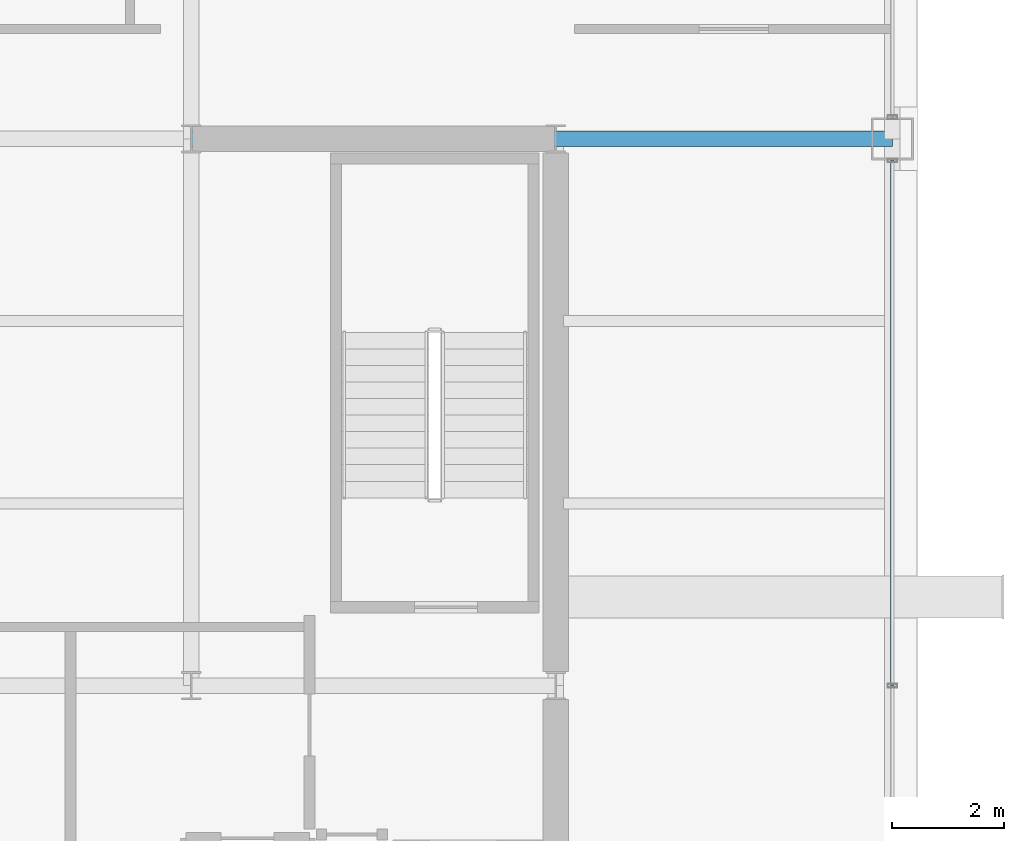
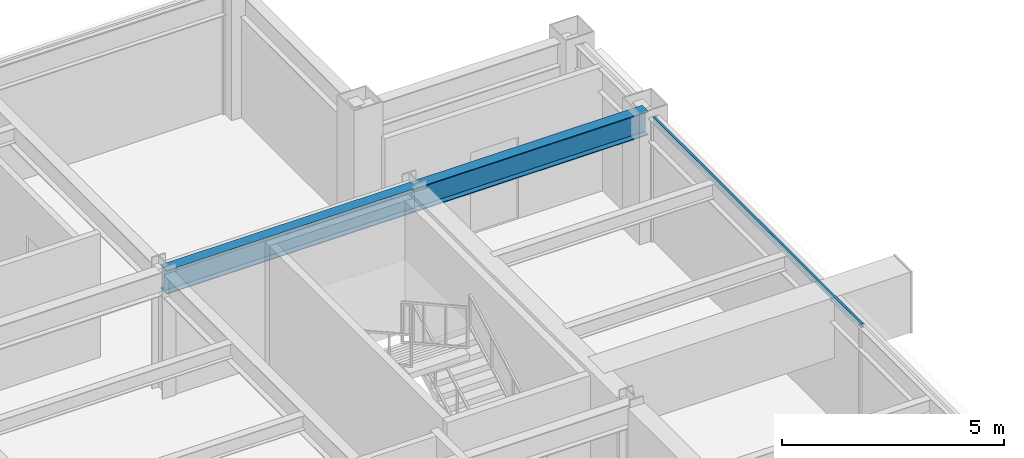
# One storey, part 16 of 26: 2 beams, 1 member, 1 element without a shape of its own.
"""IFC4 building model written with IfcOpenShell, lengths in metres."""

import ifcopenshell
import ifcopenshell.guid

model = None  # the IFC model being written
_history = None  # IfcOwnerHistory: only IFC2X3 demands one
_inside = {}  # id of a spatial element -> (the spatial element, [elements in it])
_under = {}  # id of a project, library or spatial element -> (it, [spatial elements below it])
_declared = {}  # id of a project -> (the project, [libraries it declares])
_typed = {}  # id of a type object -> (the type object, [elements of that type])
_made_of = {}  # id of a material, layer set ... -> (it, [elements and type objects made of it])


def new_model(schema):
    """Start an empty IFC model of exactly this schema.

    Asked for "IFC4X3", IfcOpenShell would pick the latest addendum, in which some entities
    have other attributes; the version numbers below select the first issue.
    IFC2X3 requires an IfcOwnerHistory on every rooted entity: one is made here for all.
    """
    global model, _history
    if schema == "IFC4X3":
        model = ifcopenshell.file(schema_version=(4, 3, 0, 0))
    else:
        model = ifcopenshell.file(schema=schema)
    _inside.clear()
    _under.clear()
    _declared.clear()
    _typed.clear()
    _made_of.clear()
    _history = None
    if model.schema == "IFC2X3":
        org = make("IfcOrganization", Name="unknown")
        user = make(
            "IfcPersonAndOrganization",
            ThePerson=make("IfcPerson", FamilyName="unknown"),
            TheOrganization=org,
        )
        app = make(
            "IfcApplication",
            ApplicationDeveloper=org,
            Version="unknown",
            ApplicationFullName="unknown",
            ApplicationIdentifier="unknown",
        )
        _history = make(
            "IfcOwnerHistory",
            OwningUser=user,
            OwningApplication=app,
            ChangeAction="ADDED",
            CreationDate=0,
        )
    return model


def make(cls, **values):
    """One entity of the class cls with the attributes given. An attribute that is None is left unset."""
    return model.create_entity(
        cls, **{name: value for name, value in values.items() if value is not None}
    )


def rooted(cls, **values):
    """An entity with a GlobalId (a new one), such as an element, a storey or a relation."""
    return make(cls, GlobalId=ifcopenshell.guid.new(), OwnerHistory=_history, **values)


def si_unit(unit_type, name, prefix=None):
    """IfcSIUnit, for example si_unit("LENGTHUNIT", "METRE", prefix="MILLI")."""
    return make("IfcSIUnit", UnitType=unit_type, Prefix=prefix, Name=name)


def assignment(units):
    """IfcUnitAssignment: the units of a project."""
    return None if units is None else make("IfcUnitAssignment", Units=units)


def point(xyz):
    """IfcCartesianPoint."""
    return None if xyz is None else make("IfcCartesianPoint", Coordinates=xyz)


def direction(xyz):
    """IfcDirection."""
    return None if xyz is None else make("IfcDirection", DirectionRatios=xyz)


def frame(location, z_axis=None, x_axis=None):
    """IfcAxis2Placement3D, a coordinate frame: its origin and axes. An axis left out is left unset."""
    return make(
        "IfcAxis2Placement3D",
        Location=point(location),
        Axis=direction(z_axis),
        RefDirection=direction(x_axis),
    )


def frame_2d(location, x_axis=None):
    """IfcAxis2Placement2D, a coordinate frame in the plane: its origin and x axis."""
    return make(
        "IfcAxis2Placement2D", Location=point(location), RefDirection=direction(x_axis)
    )


def origin():
    """The frame at (0, 0, 0) with its axes left unset."""
    return frame((0.0, 0.0, 0.0))


def origin_2d():
    """The frame at (0, 0) in the plane with its x axis left unset."""
    return frame_2d((0.0, 0.0))


def place(relative_to, where):
    """IfcLocalPlacement: puts the frame where relative to a parent placement (None: the world)."""
    return make(
        "IfcLocalPlacement", PlacementRelTo=relative_to, RelativePlacement=where
    )


def context(
    kind, dimensions, precision=None, world=None, true_north=None, identifier=None
):
    """IfcGeometricRepresentationContext, for example the 3D "Model" context."""
    return make(
        "IfcGeometricRepresentationContext",
        ContextIdentifier=identifier,
        ContextType=kind,
        CoordinateSpaceDimension=dimensions,
        Precision=precision,
        WorldCoordinateSystem=world,
        TrueNorth=true_north,
    )


def subcontext(parent, identifier, kind, view, scale=None):
    """IfcGeometricRepresentationSubContext, for example "Body" below "Model"."""
    return make(
        "IfcGeometricRepresentationSubContext",
        ContextIdentifier=identifier,
        ContextType=kind,
        ParentContext=parent,
        TargetScale=scale,
        TargetView=view,
    )


def project(units=None, contexts=None):
    """IfcProject with its units and contexts."""
    return rooted(
        "IfcProject",
        Name="project",
        RepresentationContexts=contexts,
        UnitsInContext=assignment(units),
    )


def spatial(cls, under=None, at=None, **own):
    """A site, building, storey or space (cls), placed at a placement, below another one or the project."""
    s = rooted(cls, ObjectPlacement=at, **own)
    if under is not None:
        _under.setdefault(under.id(), (under, []))[1].append(s)
    return s


def profile(cls, at=None, kind="AREA", **sizes):
    """A parametric profile (cls). Its sizes go by their IFC names, for example OverallWidth=200.0."""
    return make(cls, ProfileType=kind, Position=at, **sizes)


def hollow_rectangle(**sizes):
    """IfcRectangleHollowProfileDef."""
    return profile("IfcRectangleHollowProfileDef", **sizes)


def i_section(**sizes):
    """IfcIShapeProfileDef."""
    return profile("IfcIShapeProfileDef", **sizes)


def extrude(swept, where, along, depth):
    """IfcExtrudedAreaSolid: the profile swept, set in the frame where, extruded along a direction by depth."""
    return make(
        "IfcExtrudedAreaSolid",
        SweptArea=swept,
        Position=where,
        ExtrudedDirection=direction(along),
        Depth=depth,
    )


def shape(context_of_items, identifier, shape_type, items):
    """IfcShapeRepresentation: the items that make up one representation, for example the "Body"."""
    return make(
        "IfcShapeRepresentation",
        ContextOfItems=context_of_items,
        RepresentationIdentifier=identifier,
        RepresentationType=shape_type,
        Items=items,
    )


def material(Name=None, Category=None):
    """IfcMaterial."""
    return make("IfcMaterial", Name=Name, Category=Category)


def layer(
    of_material, thickness, ventilated=None, Name=None, Category=None, Priority=None
):
    """IfcMaterialLayer: one layer of a wall or slab, of a material (None: an air gap)."""
    return make(
        "IfcMaterialLayer",
        Material=of_material,
        LayerThickness=thickness,
        IsVentilated=ventilated,
        Name=Name,
        Category=Category,
        Priority=Priority,
    )


def layer_set(layers, Name=None):
    """IfcMaterialLayerSet."""
    return make("IfcMaterialLayerSet", MaterialLayers=layers, LayerSetName=Name)


def material_profile(
    of_material, cross_section, Name=None, Category=None, Priority=None
):
    """IfcMaterialProfile: a cross section and its material."""
    return make(
        "IfcMaterialProfile",
        Name=Name,
        Material=of_material,
        Profile=cross_section,
        Priority=Priority,
        Category=Category,
    )


def profile_set(profiles, Name=None, composite=None):
    """IfcMaterialProfileSet."""
    return make(
        "IfcMaterialProfileSet",
        Name=Name,
        MaterialProfiles=profiles,
        CompositeProfile=composite,
    )


def made_of(thing, what):
    """Note that an element or type object is made of a material, layer set ...; save() writes the relation."""
    if what is not None:
        _made_of.setdefault(what.id(), (what, []))[1].append(thing)
    return thing


def type_object(cls, material=None, **own):
    """A type object (cls), such as IfcWallType, which elements share."""
    return made_of(rooted(cls, **own), material)


def element(
    cls,
    number,
    at=None,
    inside=None,
    cuts=None,
    type_object=None,
    material=None,
    context=None,
    identifier="Body",
    shape_type=None,
    held_by="IfcProductDefinitionShape",
    body=None,
    shapes=None,
    **own,
):
    """One element of the class cls, such as IfcWall. Its Tag is "e" and its number.

    at: its placement. inside: the storey or other place that contains it. cuts: it is an
    opening in that element (IfcRelVoidsElement). A single representation is given by context,
    identifier, shape_type and body (its items); several are given by shapes. held_by: the class
    of the entity that holds the representations. save() writes the other relations.
    """
    e = rooted(cls, Tag="e%d" % number, ObjectPlacement=at, **own)
    if body is not None:
        shapes = [shape(context, identifier, shape_type, body)]
    if shapes is not None:
        e.Representation = make(held_by, Representations=shapes)
    if inside is not None:
        _inside.setdefault(inside.id(), (inside, []))[1].append(e)
    if cuts is not None:
        rooted(
            "IfcRelVoidsElement", RelatingBuildingElement=cuts, RelatedOpeningElement=e
        )
    if type_object is not None:
        _typed.setdefault(type_object.id(), (type_object, []))[1].append(e)
    return made_of(e, material)


def aggregate(whole, parts):
    """IfcRelAggregates: a whole, such as a stair, and the parts it consists of."""
    return rooted("IfcRelAggregates", RelatingObject=whole, RelatedObjects=parts)


def save(model, path):
    """Write the relations noted so far, then the file.

    IfcRelAggregates (storeys below a building ...), IfcRelContainedInSpatialStructure (elements
    in a storey), IfcRelDefinesByType, IfcRelAssociatesMaterial and IfcRelDeclares: one each for
    every whole, place, type object, material and project.
    """
    for whole, parts in _under.values():
        aggregate(whole, parts)
    for where, things in _inside.values():
        rooted(
            "IfcRelContainedInSpatialStructure",
            RelatedElements=things,
            RelatingStructure=where,
        )
    for kind, things in _typed.values():
        rooted("IfcRelDefinesByType", RelatedObjects=things, RelatingType=kind)
    for what, things in _made_of.values():
        rooted("IfcRelAssociatesMaterial", RelatedObjects=things, RelatingMaterial=what)
    for by, libraries in _declared.values():
        rooted("IfcRelDeclares", RelatingContext=by, RelatedDefinitions=libraries)
    model.write(path)


model = new_model("IFC4")

# Units and contexts
model_context = context("Model", 3, precision=1e-05, world=origin(), true_north=direction((0.0, 1.0)))
body_context = subcontext(model_context, "Body", "Model", "MODEL_VIEW")
ifc_project = project(units=[si_unit("LENGTHUNIT", "METRE"), si_unit("AREAUNIT", "SQUARE_METRE"), si_unit("VOLUMEUNIT", "CUBIC_METRE"), si_unit("PLANEANGLEUNIT", "RADIAN"), si_unit("MASSUNIT", "GRAM", prefix="KILO")], contexts=[model_context])

# Site, building, storey
site_placement = place(None, origin())
site = spatial("IfcSite", under=ifc_project, at=site_placement, CompositionType="ELEMENT")
building_placement = place(site_placement, origin())
building = spatial("IfcBuilding", under=site, at=building_placement, Name="Brelmoor Portico Tower", CompositionType="ELEMENT")
storey_placement = place(building_placement, frame((0.0, 0.0, 180.300048828125)))
storey = spatial("IfcBuildingStorey", under=building, at=storey_placement, Name="L47", CompositionType="ELEMENT", Elevation=180.300048828125)

# Beams
ifc_material_1 = material(Name="Steel Q355B", Category="steel")
ifc_material_profile_1 = material_profile(ifc_material_1, i_section(OverallWidth=0.280029296875, OverallDepth=0.64990234375, WebThickness=0.012939453125, FlangeThickness=0.02197265625, at=origin_2d()), Name="HN 650x280x13x22")
ifc_profile_set_1 = profile_set([ifc_material_profile_1], Name="Steel Q355B")
beam_type = type_object("IfcBeamType", Name="BM-PG-650", PredefinedType="BEAM", material=ifc_profile_set_1)
beam_1_placement = place(storey_placement, frame((8.050048828125, 9.75, 3.074951171875), z_axis=(1.0, 0.0, 0.0), x_axis=(0.0, 1.0, 0.0)))
element("IfcBeam", 1, at=beam_1_placement, inside=storey, type_object=beam_type, Name="L47 Primary Floor Girder PG-22", PredefinedType="BEAM", context=body_context, shape_type="SweptSolid", body=[
    extrude(i_section(OverallWidth=0.280029296875, OverallDepth=0.64990234375, WebThickness=0.012939453125, FlangeThickness=0.02197265625, at=origin_2d()), origin(), (0.0, 0.0, 1.0), 6.5),
])
beam_2_placement = place(storey_placement, frame((14.550048828125, 9.75, 3.074951171875), z_axis=(1.0, 0.0, 0.0), x_axis=(0.0, 1.0, 0.0)))
element("IfcBeam", 2, at=beam_2_placement, inside=storey, type_object=beam_type, Name="L47 Primary Floor Girder PG-23", PredefinedType="BEAM", context=body_context, shape_type="SweptSolid", body=[
    extrude(i_section(OverallWidth=0.280029296875, OverallDepth=0.64990234375, WebThickness=0.012939453125, FlangeThickness=0.02197265625, at=origin_2d()), origin(), (0.0, 0.0, 1.0), 6.0),
])

# Curtain wall, member
ifc_material_2 = material(Name="Anodised Aluminium Alloy 6063-T6", Category="aluminium")
ifc_layer = layer(ifc_material_2, 0.179931640625)
ifc_layer_set = layer_set([ifc_layer], Name="Anodised Aluminium Alloy 6063-T6")
curtain_wall_type = type_object("IfcCurtainWallType", Name="CW-TOWER-Z3-XB", PredefinedType="NOTDEFINED", material=ifc_layer_set)
curtain_wall_placement = place(storey_placement, origin())
curtain_wall = element("IfcCurtainWall", 3, at=curtain_wall_placement, inside=storey, type_object=curtain_wall_type, Name="L47 Curtain Wall CW-L47-04-2", PredefinedType="NOTDEFINED")
ifc_material_profile_2 = material_profile(ifc_material_2, hollow_rectangle(XDim=0.06005859375, YDim=0.125, WallThickness=0.00341796875, at=origin_2d()), Name="ALU TRANSOM 60x125")
ifc_profile_set_2 = profile_set([ifc_material_profile_2], Name="Anodised Aluminium Alloy 6063-T6")
member_type = type_object("IfcMemberType", Name="MB-CW-TRAN-125", PredefinedType="USERDEFINED", material=ifc_profile_set_2)
member_placement = place(storey_placement, frame((20.550048828125, 0.0, 3.33740234375), z_axis=(0.0, 1.0, 0.0), x_axis=(-1.0, 0.0, 0.0)))
member = element("IfcMember", 4, at=member_placement, type_object=member_type, Name="CW-L47-04-2 Transom 1-01", ObjectType="TRANSOM", PredefinedType="USERDEFINED", context=body_context, shape_type="SweptSolid", body=[
    extrude(hollow_rectangle(XDim=0.06005859375, YDim=0.125, WallThickness=0.00341796875, at=origin_2d()), origin(), (0.0, 0.0, 1.0), 9.364990234375),
])
aggregate(curtain_wall, [member])

save(model, "model.ifc")
